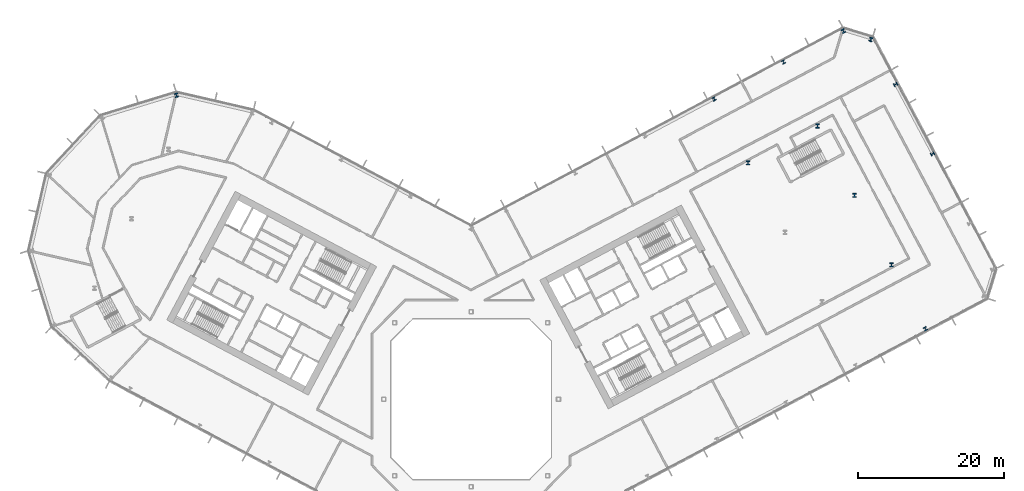
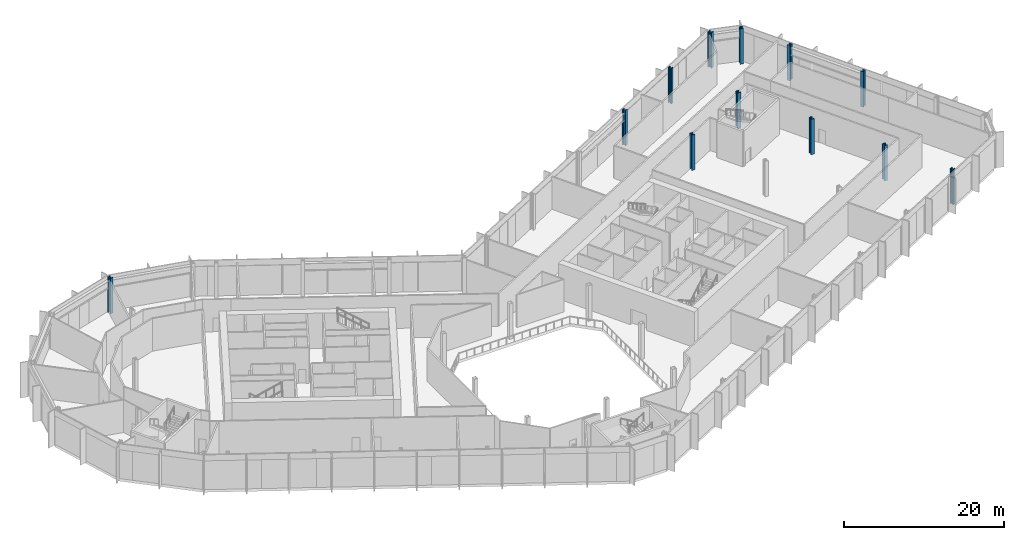
# One storey, part 4 of 32: 12 columns.
"""IFC4 building model written with IfcOpenShell, lengths in metres."""

from ifc_helpers import new_model, si_unit, direction, frame, origin, origin_2d, place, context, subcontext, project, spatial, i_section, extrude, material, material_profile, profile_set, type_object, element, save


model = new_model("IFC4")

# Units and contexts
model_context = context("Model", 3, precision=1e-05, world=origin(), true_north=direction((0.0, 1.0)))
body_context = subcontext(model_context, "Body", "Model", "MODEL_VIEW")
ifc_project = project(units=[si_unit("LENGTHUNIT", "METRE"), si_unit("AREAUNIT", "SQUARE_METRE"), si_unit("VOLUMEUNIT", "CUBIC_METRE"), si_unit("PLANEANGLEUNIT", "RADIAN"), si_unit("MASSUNIT", "GRAM", prefix="KILO")], contexts=[model_context])

# Site, building, storey
site_placement = place(None, origin())
site = spatial("IfcSite", under=ifc_project, at=site_placement, CompositionType="ELEMENT")
building_placement = place(site_placement, origin())
building = spatial("IfcBuilding", under=site, at=building_placement, Name="Cormorant Relay Tower", CompositionType="ELEMENT")
storey_placement = place(building_placement, frame((0.0, 0.0, 17.60009765625)))
storey = spatial("IfcBuildingStorey", under=building, at=storey_placement, Name="L03", CompositionType="ELEMENT", Elevation=17.60009765625)

# Columns
ifc_material_1 = material(Name="Steel ASTM A992 (Fy 345 MPa)", Category="steel")
ifc_material_profile_1 = material_profile(ifc_material_1, i_section(OverallWidth=0.45458984375, OverallDepth=0.569091796875, WebThickness=0.077880859375, FlangeThickness=0.124755859375, FilletRadius=0.015380859375, at=origin_2d()), Name="W360x1086")
ifc_profile_set_1 = profile_set([ifc_material_profile_1], Name="Steel ASTM A992 (Fy 345 MPa)")
column_type_1 = type_object("IfcColumnType", Name="Column W360x1086", PredefinedType="COLUMN", material=ifc_profile_set_1)
for number, where, z_axis, x_axis, name in (
    (1, (57.694091796875, 18.445068359375, 0.0), (0.0, 0.0, 1.0), (1.0, 0.0, 0.0), "Column L03-029"),
    (2, (52.6240234375, 27.98095703125, 0.0), (0.0, 0.0, 1.0), (1.0, 0.0, 0.0), "Column L03-037"),
    (3, (38.01806640625, 32.446044921875, 0.0), (0.0, 0.0, 1.0), (1.0, 0.0, 0.0), "Column L03-040"),
    (4, (47.552978515625, 37.51611328125, 0.0), (0.0, 0.0, 1.0), (1.0, 0.0, 0.0), "Column L03-045"),
    (5, (-40.451904296875, 41.73388671875, 0.0), (0.0, 0.0, 1.0), (-0.956304755963, -0.292371704723, 0.0), "Column L03-050"),
    (6, (54.866943359375, 49.385986328125, 0.0), (0.0, 0.0, 1.0), (-0.956304755963, 0.292371704723, 0.0), "Column L03-053"),
    (7, (51.10302734375, 50.537109375, 0.0), (0.0, 0.0, 1.0), (-0.882947592859, -0.469471562786, 0.0), "Column L03-054"),
):
    element("IfcColumn", number, at=place(storey_placement, frame(where, z_axis=z_axis, x_axis=x_axis)), inside=storey, type_object=column_type_1, Name=name, PredefinedType="COLUMN", context=body_context, shape_type="SweptSolid", body=[
        extrude(i_section(OverallWidth=0.45458984375, OverallDepth=0.569091796875, WebThickness=0.077880859375, FlangeThickness=0.124755859375, FilletRadius=0.015380859375, at=origin_2d()), origin(), (0.0, 0.0, 1.0), 5.39990234375),
    ])
ifc_material_2 = material(Name="Steel ASTM A992 (Fy 345 MPa)", Category="steel")
ifc_material_profile_2 = material_profile(ifc_material_2, i_section(OverallWidth=0.43701171875, OverallDepth=0.51318359375, WebThickness=0.060546875, FlangeThickness=0.096923828125, FilletRadius=0.015380859375, at=origin_2d()), Name="W360x818")
ifc_profile_set_2 = profile_set([ifc_material_profile_2], Name="Steel ASTM A992 (Fy 345 MPa)")
column_type_2 = type_object("IfcColumnType", Name="Column W360x818", PredefinedType="COLUMN", material=ifc_profile_set_2)
for number, where, z_axis, x_axis, name in (
    (8, (62.361083984375, 9.66796875, 0.0), (0.0, 0.0, 1.0), (0.882947592859, 0.469471562786, 0.0), "Column L03-020"),
    (9, (63.343017578125, 33.679931640625, 0.0), (0.0, 0.0, 1.0), (-0.469471562786, 0.882947592859, 0.0), "Column L03-042"),
    (10, (33.35107421875, 41.222900390625, 0.0), (0.0, 0.0, 1.0), (-0.882947592859, -0.469471562786, 0.0), "Column L03-049"),
    (11, (58.27197265625, 43.216064453125, 0.0), (0.0, 0.0, 1.0), (-0.469471562786, 0.882947592859, 0.0), "Column L03-051"),
    (12, (42.886962890625, 46.29296875, 0.0), (0.0, 0.0, 1.0), (-0.882947592859, -0.469471562786, 0.0), "Column L03-052"),
):
    element("IfcColumn", number, at=place(storey_placement, frame(where, z_axis=z_axis, x_axis=x_axis)), inside=storey, type_object=column_type_2, Name=name, PredefinedType="COLUMN", context=body_context, shape_type="SweptSolid", body=[
        extrude(i_section(OverallWidth=0.43701171875, OverallDepth=0.51318359375, WebThickness=0.060546875, FlangeThickness=0.096923828125, FilletRadius=0.015380859375, at=origin_2d()), origin(), (0.0, 0.0, 1.0), 5.39990234375),
    ])

save(model, "model.ifc")
